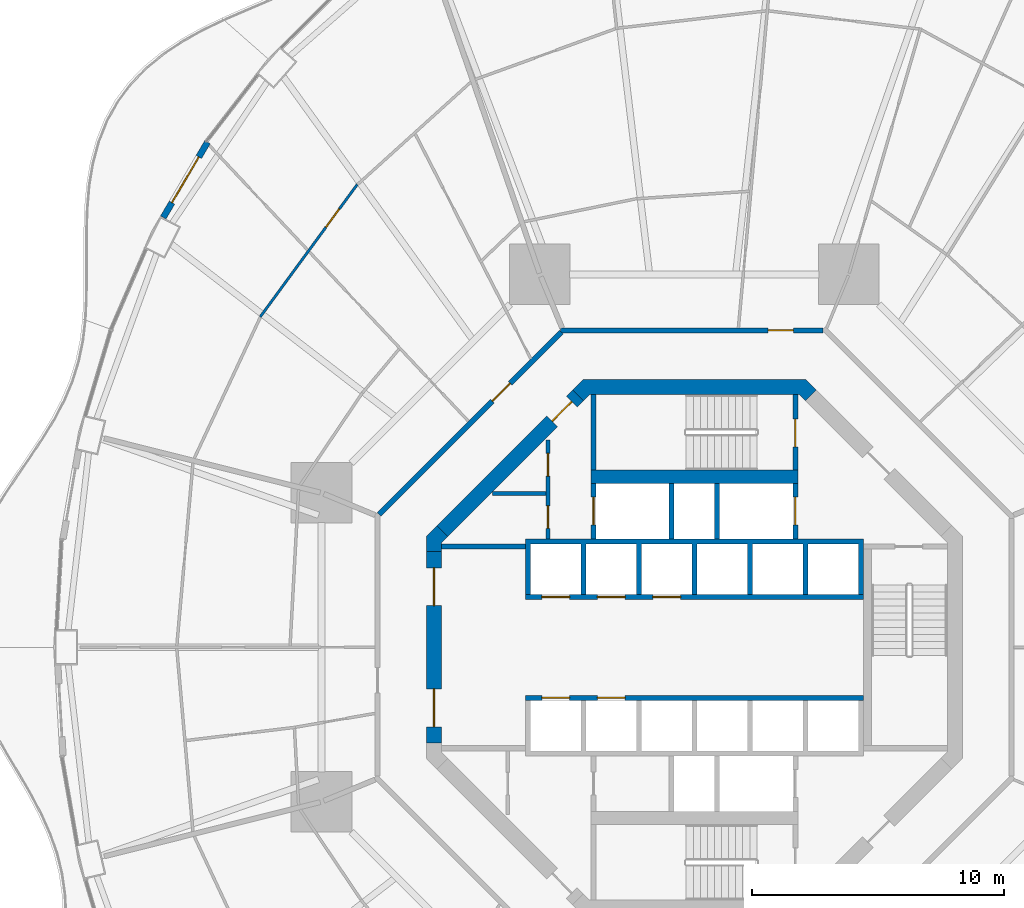
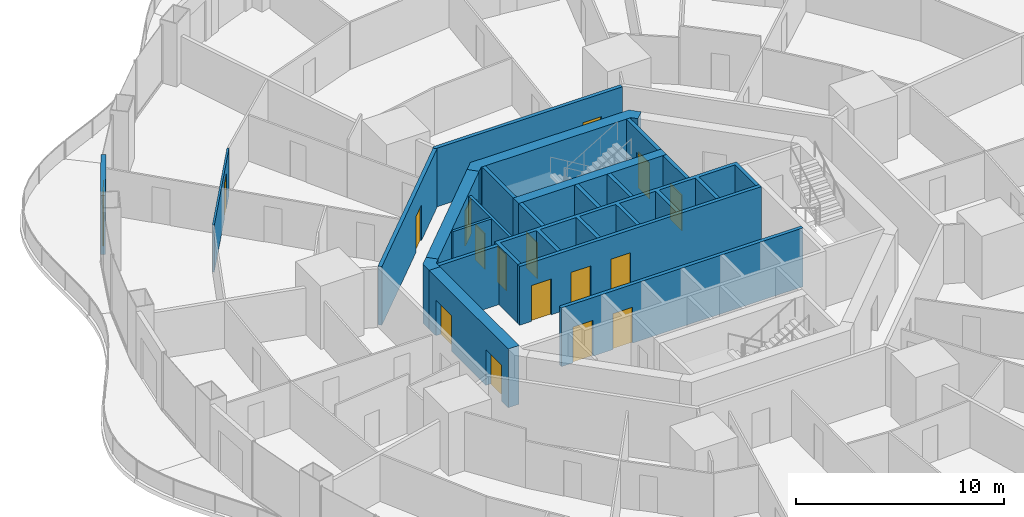
# One storey, part 17 of 23: 21 walls, 17 doors, 17 openings.
"""IFC4 building model written with IfcOpenShell, lengths in metres."""

import ifcopenshell
import ifcopenshell.guid

model = None  # the IFC model being written
_history = None  # IfcOwnerHistory: only IFC2X3 demands one
_inside = {}  # id of a spatial element -> (the spatial element, [elements in it])
_under = {}  # id of a project, library or spatial element -> (it, [spatial elements below it])
_declared = {}  # id of a project -> (the project, [libraries it declares])
_typed = {}  # id of a type object -> (the type object, [elements of that type])
_made_of = {}  # id of a material, layer set ... -> (it, [elements and type objects made of it])


def new_model(schema):
    """Start an empty IFC model of exactly this schema.

    Asked for "IFC4X3", IfcOpenShell would pick the latest addendum, in which some entities
    have other attributes; the version numbers below select the first issue.
    IFC2X3 requires an IfcOwnerHistory on every rooted entity: one is made here for all.
    """
    global model, _history
    if schema == "IFC4X3":
        model = ifcopenshell.file(schema_version=(4, 3, 0, 0))
    else:
        model = ifcopenshell.file(schema=schema)
    _inside.clear()
    _under.clear()
    _declared.clear()
    _typed.clear()
    _made_of.clear()
    _history = None
    if model.schema == "IFC2X3":
        org = make("IfcOrganization", Name="unknown")
        user = make(
            "IfcPersonAndOrganization",
            ThePerson=make("IfcPerson", FamilyName="unknown"),
            TheOrganization=org,
        )
        app = make(
            "IfcApplication",
            ApplicationDeveloper=org,
            Version="unknown",
            ApplicationFullName="unknown",
            ApplicationIdentifier="unknown",
        )
        _history = make(
            "IfcOwnerHistory",
            OwningUser=user,
            OwningApplication=app,
            ChangeAction="ADDED",
            CreationDate=0,
        )
    return model


def make(cls, **values):
    """One entity of the class cls with the attributes given. An attribute that is None is left unset."""
    return model.create_entity(
        cls, **{name: value for name, value in values.items() if value is not None}
    )


def rooted(cls, **values):
    """An entity with a GlobalId (a new one), such as an element, a storey or a relation."""
    return make(cls, GlobalId=ifcopenshell.guid.new(), OwnerHistory=_history, **values)


def si_unit(unit_type, name, prefix=None):
    """IfcSIUnit, for example si_unit("LENGTHUNIT", "METRE", prefix="MILLI")."""
    return make("IfcSIUnit", UnitType=unit_type, Prefix=prefix, Name=name)


def assignment(units):
    """IfcUnitAssignment: the units of a project."""
    return None if units is None else make("IfcUnitAssignment", Units=units)


def point(xyz):
    """IfcCartesianPoint."""
    return None if xyz is None else make("IfcCartesianPoint", Coordinates=xyz)


def direction(xyz):
    """IfcDirection."""
    return None if xyz is None else make("IfcDirection", DirectionRatios=xyz)


def frame(location, z_axis=None, x_axis=None):
    """IfcAxis2Placement3D, a coordinate frame: its origin and axes. An axis left out is left unset."""
    return make(
        "IfcAxis2Placement3D",
        Location=point(location),
        Axis=direction(z_axis),
        RefDirection=direction(x_axis),
    )


def frame_2d(location, x_axis=None):
    """IfcAxis2Placement2D, a coordinate frame in the plane: its origin and x axis."""
    return make(
        "IfcAxis2Placement2D", Location=point(location), RefDirection=direction(x_axis)
    )


def origin():
    """The frame at (0, 0, 0) with its axes left unset."""
    return frame((0.0, 0.0, 0.0))


def place(relative_to, where):
    """IfcLocalPlacement: puts the frame where relative to a parent placement (None: the world)."""
    return make(
        "IfcLocalPlacement", PlacementRelTo=relative_to, RelativePlacement=where
    )


def context(
    kind, dimensions, precision=None, world=None, true_north=None, identifier=None
):
    """IfcGeometricRepresentationContext, for example the 3D "Model" context."""
    return make(
        "IfcGeometricRepresentationContext",
        ContextIdentifier=identifier,
        ContextType=kind,
        CoordinateSpaceDimension=dimensions,
        Precision=precision,
        WorldCoordinateSystem=world,
        TrueNorth=true_north,
    )


def subcontext(parent, identifier, kind, view, scale=None):
    """IfcGeometricRepresentationSubContext, for example "Body" below "Model"."""
    return make(
        "IfcGeometricRepresentationSubContext",
        ContextIdentifier=identifier,
        ContextType=kind,
        ParentContext=parent,
        TargetScale=scale,
        TargetView=view,
    )


def project(units=None, contexts=None):
    """IfcProject with its units and contexts."""
    return rooted(
        "IfcProject",
        Name="project",
        RepresentationContexts=contexts,
        UnitsInContext=assignment(units),
    )


def spatial(cls, under=None, at=None, **own):
    """A site, building, storey or space (cls), placed at a placement, below another one or the project."""
    s = rooted(cls, ObjectPlacement=at, **own)
    if under is not None:
        _under.setdefault(under.id(), (under, []))[1].append(s)
    return s


def polyline(points):
    """IfcPolyline through the points."""
    return make("IfcPolyline", Points=[point(p) for p in points])


def profile(cls, at=None, kind="AREA", **sizes):
    """A parametric profile (cls). Its sizes go by their IFC names, for example OverallWidth=200.0."""
    return make(cls, ProfileType=kind, Position=at, **sizes)


def rectangle(**sizes):
    """IfcRectangleProfileDef."""
    return profile("IfcRectangleProfileDef", **sizes)


def outline(outer, holes=None, kind="AREA"):
    """IfcArbitraryClosedProfileDef: a profile drawn as a closed curve; with holes, ...WithVoids."""
    if holes is None:
        return make("IfcArbitraryClosedProfileDef", ProfileType=kind, OuterCurve=outer)
    return make(
        "IfcArbitraryProfileDefWithVoids",
        ProfileType=kind,
        OuterCurve=outer,
        InnerCurves=holes,
    )


def extrude(swept, where, along, depth):
    """IfcExtrudedAreaSolid: the profile swept, set in the frame where, extruded along a direction by depth."""
    return make(
        "IfcExtrudedAreaSolid",
        SweptArea=swept,
        Position=where,
        ExtrudedDirection=direction(along),
        Depth=depth,
    )


def shape(context_of_items, identifier, shape_type, items):
    """IfcShapeRepresentation: the items that make up one representation, for example the "Body"."""
    return make(
        "IfcShapeRepresentation",
        ContextOfItems=context_of_items,
        RepresentationIdentifier=identifier,
        RepresentationType=shape_type,
        Items=items,
    )


def material(Name=None, Category=None):
    """IfcMaterial."""
    return make("IfcMaterial", Name=Name, Category=Category)


def layer(
    of_material, thickness, ventilated=None, Name=None, Category=None, Priority=None
):
    """IfcMaterialLayer: one layer of a wall or slab, of a material (None: an air gap)."""
    return make(
        "IfcMaterialLayer",
        Material=of_material,
        LayerThickness=thickness,
        IsVentilated=ventilated,
        Name=Name,
        Category=Category,
        Priority=Priority,
    )


def layer_set(layers, Name=None):
    """IfcMaterialLayerSet."""
    return make("IfcMaterialLayerSet", MaterialLayers=layers, LayerSetName=Name)


def made_of(thing, what):
    """Note that an element or type object is made of a material, layer set ...; save() writes the relation."""
    if what is not None:
        _made_of.setdefault(what.id(), (what, []))[1].append(thing)
    return thing


def type_object(cls, material=None, **own):
    """A type object (cls), such as IfcWallType, which elements share."""
    return made_of(rooted(cls, **own), material)


def element(
    cls,
    number,
    at=None,
    inside=None,
    cuts=None,
    type_object=None,
    material=None,
    context=None,
    identifier="Body",
    shape_type=None,
    held_by="IfcProductDefinitionShape",
    body=None,
    shapes=None,
    **own,
):
    """One element of the class cls, such as IfcWall. Its Tag is "e" and its number.

    at: its placement. inside: the storey or other place that contains it. cuts: it is an
    opening in that element (IfcRelVoidsElement). A single representation is given by context,
    identifier, shape_type and body (its items); several are given by shapes. held_by: the class
    of the entity that holds the representations. save() writes the other relations.
    """
    e = rooted(cls, Tag="e%d" % number, ObjectPlacement=at, **own)
    if body is not None:
        shapes = [shape(context, identifier, shape_type, body)]
    if shapes is not None:
        e.Representation = make(held_by, Representations=shapes)
    if inside is not None:
        _inside.setdefault(inside.id(), (inside, []))[1].append(e)
    if cuts is not None:
        rooted(
            "IfcRelVoidsElement", RelatingBuildingElement=cuts, RelatedOpeningElement=e
        )
    if type_object is not None:
        _typed.setdefault(type_object.id(), (type_object, []))[1].append(e)
    return made_of(e, material)


def fill(opening, filler):
    """IfcRelFillsElement: the door or window that sits in an opening."""
    return rooted(
        "IfcRelFillsElement",
        RelatingOpeningElement=opening,
        RelatedBuildingElement=filler,
    )


def aggregate(whole, parts):
    """IfcRelAggregates: a whole, such as a stair, and the parts it consists of."""
    return rooted("IfcRelAggregates", RelatingObject=whole, RelatedObjects=parts)


def save(model, path):
    """Write the relations noted so far, then the file.

    IfcRelAggregates (storeys below a building ...), IfcRelContainedInSpatialStructure (elements
    in a storey), IfcRelDefinesByType, IfcRelAssociatesMaterial and IfcRelDeclares: one each for
    every whole, place, type object, material and project.
    """
    for whole, parts in _under.values():
        aggregate(whole, parts)
    for where, things in _inside.values():
        rooted(
            "IfcRelContainedInSpatialStructure",
            RelatedElements=things,
            RelatingStructure=where,
        )
    for kind, things in _typed.values():
        rooted("IfcRelDefinesByType", RelatedObjects=things, RelatingType=kind)
    for what, things in _made_of.values():
        rooted("IfcRelAssociatesMaterial", RelatedObjects=things, RelatingMaterial=what)
    for by, libraries in _declared.values():
        rooted("IfcRelDeclares", RelatingContext=by, RelatedDefinitions=libraries)
    model.write(path)


model = new_model("IFC4")

# Units and contexts
model_context = context("Model", 3, precision=1e-05, world=origin(), true_north=direction((0.0, 1.0)))
body_context = subcontext(model_context, "Body", "Model", "MODEL_VIEW")
ifc_project = project(units=[si_unit("LENGTHUNIT", "METRE"), si_unit("AREAUNIT", "SQUARE_METRE"), si_unit("VOLUMEUNIT", "CUBIC_METRE"), si_unit("PLANEANGLEUNIT", "RADIAN"), si_unit("MASSUNIT", "GRAM", prefix="KILO")], contexts=[model_context])

# Site, building, storey
site_placement = place(None, origin())
site = spatial("IfcSite", under=ifc_project, at=site_placement, CompositionType="ELEMENT")
building_placement = place(site_placement, origin())
building = spatial("IfcBuilding", under=site, at=building_placement, Name="Nagisa Residences", CompositionType="ELEMENT")
storey_placement = place(building_placement, frame((0.0, 0.0, 56.60009765625)))
storey = spatial("IfcBuildingStorey", under=building, at=storey_placement, Name="L13", CompositionType="ELEMENT", Elevation=56.60009765625)

# Wall, opening, door
ifc_material_1 = material(Name="Gypsum board on steel studs", Category="steel")
ifc_layer_1 = layer(ifc_material_1, 0.199951171875)
ifc_layer_set_1 = layer_set([ifc_layer_1], Name="Apartment entry wall EI60 200")
wall_type_1 = type_object("IfcWallType", Name="Apartment entry wall EI60 200", PredefinedType="PARTITIONING", material=ifc_layer_set_1)
wall_1_placement = place(storey_placement, frame((5.1044921875, 12.564697265625, 0.0), z_axis=(0.0, 0.0, 1.0), x_axis=(-1.0, 0.0, 0.0)))
wall_1 = element("IfcWall", 1, at=wall_1_placement, inside=storey, type_object=wall_type_1, Name="wall:L13:u12", PredefinedType="PARTITIONING", context=body_context, shape_type="SweptSolid", body=[
    extrude(rectangle(XDim=10.408935546875, YDim=0.199951171875, at=frame_2d((5.20458984375, 0.0))), origin(), (0.0, 0.0, 1.0), 3.43994140625),
])
opening_1_placement = place(wall_1_placement, frame((1.184814453125, 0.0, 0.0)))
opening_1 = element("IfcOpeningElement", 2, at=opening_1_placement, cuts=wall_1, Name="Opening L13-U43", PredefinedType="OPENING", context=body_context, shape_type="SweptSolid", body=[
    extrude(rectangle(XDim=1.0, YDim=2.10009765625, at=frame_2d((0.5, 1.050048828125))), frame((0.0, 0.10986328125, 0.0), z_axis=(0.0, -1.0, 0.0), x_axis=(1.0, 0.0, 0.0)), (0.0, 0.0, 1.0), 0.219970703125),
])
ifc_material_2 = material(Name="Timber fire door set", Category="wood")
door_type_1 = type_object("IfcDoorType", Name="Apartment entry door FD30S 1000x2100", OperationType="NOTDEFINED", PredefinedType="DOOR", material=ifc_material_2)
door_1_placement = place(opening_1_placement, frame((1.0, 0.0, 0.0), x_axis=(-1.0, 0.0, 0.0)))
door_1 = element("IfcDoor", 3, at=door_1_placement, inside=storey, type_object=door_type_1, Name="Entry door, Apartment 13E", OperationType="SINGLE_SWING_RIGHT", OverallHeight=2.10009765625, OverallWidth=1.0, PredefinedType="DOOR", context=body_context, shape_type="SweptSolid", body=[
    extrude(rectangle(XDim=1.0, YDim=2.10009765625, at=frame_2d((0.5, 1.050048828125))), frame((0.0, 0.02490234375, 0.0), z_axis=(0.0, -1.0, 0.0), x_axis=(1.0, 0.0, 0.0)), (0.0, 0.0, 1.0), 0.050048828125),
])
fill(opening_1, door_1)

wall_2_placement = place(storey_placement, frame((-5.275146484375, 12.494140625, 0.0), z_axis=(0.0, 0.0, 1.0), x_axis=(-0.707106781187, -0.707106781187, 0.0)))
wall_2 = element("IfcWall", 4, at=wall_2_placement, inside=storey, type_object=wall_type_1, Name="wall:L13:u13", PredefinedType="PARTITIONING", context=body_context, shape_type="SweptSolid", body=[
    extrude(rectangle(XDim=10.209228515625, YDim=0.199951171875, at=frame_2d((5.1044921875, 0.0))), origin(), (0.0, 0.0, 1.0), 3.43994140625),
])
opening_2_placement = place(wall_2_placement, frame((2.86962890625, 0.0, 0.0)))
opening_2 = element("IfcOpeningElement", 5, at=opening_2_placement, cuts=wall_2, Name="Opening L13-U01", PredefinedType="OPENING", context=body_context, shape_type="SweptSolid", body=[
    extrude(rectangle(XDim=1.0, YDim=2.10009765625, at=frame_2d((0.5, 1.050048828125))), frame((0.0, 0.10986328125, 0.0), z_axis=(0.0, -1.0, 0.0), x_axis=(1.0, 0.0, 0.0)), (0.0, 0.0, 1.0), 0.219970703125),
])
door_2_placement = place(opening_2_placement, frame((1.0, 0.0, 0.0), x_axis=(-1.0, 0.0, 0.0)))
door_2 = element("IfcDoor", 6, at=door_2_placement, inside=storey, type_object=door_type_1, Name="Entry door, Apartment 13A", OperationType="SINGLE_SWING_RIGHT", OverallHeight=2.10009765625, OverallWidth=1.0, PredefinedType="DOOR", context=body_context, shape_type="SweptSolid", body=[
    extrude(rectangle(XDim=1.0, YDim=2.10009765625, at=frame_2d((0.5, 1.050048828125))), frame((0.0, 0.02490234375, 0.0), z_axis=(0.0, -1.0, 0.0), x_axis=(1.0, 0.0, 0.0)), (0.0, 0.0, 1.0), 0.050048828125),
])
fill(opening_2, door_2)

ifc_material_3 = material(Name="Gypsum board on steel studs", Category="steel")
ifc_layer_2 = layer(ifc_material_3, 0.10009765625)
ifc_layer_set_2 = layer_set([ifc_layer_2], Name="Apartment partition 100")
wall_type_2 = type_object("IfcWallType", Name="Apartment partition 100", PredefinedType="PARTITIONING", material=ifc_layer_set_2)
wall_3_placement = place(storey_placement, frame((-13.3623046875, 18.35009765625, 0.0), z_axis=(0.0, 0.0, 1.0), x_axis=(-0.591191311491, -0.806531359104, 0.0)))
wall_3 = element("IfcWall", 7, at=wall_3_placement, inside=storey, type_object=wall_type_2, Name="wall:L13:u48", PredefinedType="PARTITIONING", context=body_context, shape_type="SweptSolid", body=[
    extrude(rectangle(XDim=6.510009765625, YDim=0.10009765625, at=frame_2d((3.2548828125, 0.0))), origin(), (0.0, 0.0, 1.0), 2.755859375),
])
opening_3_placement = place(wall_3_placement, frame((1.202392578125, 0.0, 0.0)))
opening_3 = element("IfcOpeningElement", 8, at=opening_3_placement, cuts=wall_3, Name="Opening L13-U06", PredefinedType="OPENING", context=body_context, shape_type="SweptSolid", body=[
    extrude(rectangle(XDim=0.89990234375, YDim=2.10009765625, at=frame_2d((0.449951171875, 1.050048828125))), frame((0.0, 0.06005859375, 0.0), z_axis=(0.0, -1.0, 0.0), x_axis=(1.0, 0.0, 0.0)), (0.0, 0.0, 1.0), 0.1201171875),
])
ifc_material_4 = material(Name="Timber door set", Category="wood")
door_type_2 = type_object("IfcDoorType", Name="Apartment door 900x2100", OperationType="NOTDEFINED", PredefinedType="DOOR", material=ifc_material_4)
door_3_placement = place(opening_3_placement, frame((0.89990234375, 0.0, 0.0), x_axis=(-1.0, 0.0, 0.0)))
door_3 = element("IfcDoor", 9, at=door_3_placement, inside=storey, type_object=door_type_2, Name="Door to family room, Apartment 13A", OperationType="SINGLE_SWING_LEFT", OverallHeight=2.10009765625, OverallWidth=0.89990234375, PredefinedType="DOOR", context=body_context, shape_type="SweptSolid", body=[
    extrude(rectangle(XDim=0.89990234375, YDim=2.10009765625, at=frame_2d((0.449951171875, 1.050048828125))), frame((0.0, 0.02490234375, 0.0), z_axis=(0.0, -1.0, 0.0), x_axis=(1.0, 0.0, 0.0)), (0.0, 0.0, 1.0), 0.050048828125),
])
fill(opening_3, door_3)

ifc_material_5 = material(Name="Precast concrete C40/50", Category="concrete")
ifc_layer_3 = layer(ifc_material_5, 0.25)
ifc_layer_set_3 = layer_set([ifc_layer_3], Name="BALCONY DOOR WALL 250")
wall_type_3 = type_object("IfcWallType", Name="BALCONY DOOR WALL 250", PredefinedType="SOLIDWALL", material=ifc_layer_set_3)
wall_4_placement = place(storey_placement, frame((-21.052490234375, 17.040283203125, 0.0), z_axis=(0.0, 0.0, 1.0), x_axis=(0.506311160839, 0.862350861546, 0.0)))
wall_4 = element("IfcWall", 10, at=wall_4_placement, inside=storey, type_object=wall_type_3, Name="wall:L13:bay19", PredefinedType="SOLIDWALL", context=body_context, shape_type="SweptSolid", body=[
    extrude(rectangle(XDim=3.462158203125, YDim=0.25, at=frame_2d((1.73095703125, 0.0))), origin(), (0.0, 0.0, 1.0), 3.43994140625),
])
opening_4_placement = place(wall_4_placement, frame((0.68115234375, 0.0, 0.0)))
opening_4 = element("IfcOpeningElement", 11, at=opening_4_placement, cuts=wall_4, Name="Opening BD-L13-07", PredefinedType="OPENING", context=body_context, shape_type="SweptSolid", body=[
    extrude(rectangle(XDim=2.10009765625, YDim=2.39990234375, at=frame_2d((1.050048828125, 1.199951171875))), frame((0.0, 0.135009765625, 0.0), z_axis=(0.0, -1.0, 0.0), x_axis=(1.0, 0.0, 0.0)), (0.0, 0.0, 1.0), 0.27001953125),
])
ifc_material_6 = material(Name="Aluminium and clear glass", Category="aluminium")
door_type_3 = type_object("IfcDoorType", Name="BALCONY SLIDING DOOR 2100x2400", OperationType="SLIDING_TO_LEFT", PredefinedType="DOOR", material=ifc_material_6)
door_4_placement = place(opening_4_placement, origin())
door_4 = element("IfcDoor", 12, at=door_4_placement, inside=storey, type_object=door_type_3, Name="door:L13:bay19", OperationType="SLIDING_TO_LEFT", OverallHeight=2.39990234375, OverallWidth=2.10009765625, PredefinedType="DOOR", context=body_context, shape_type="SweptSolid", body=[
    extrude(rectangle(XDim=2.10009765625, YDim=2.39990234375, at=frame_2d((1.050048828125, 1.199951171875))), frame((0.0, 0.02490234375, 0.0), z_axis=(0.0, -1.0, 0.0), x_axis=(1.0, 0.0, 0.0)), (0.0, 0.0, 1.0), 0.050048828125),
])
fill(opening_4, door_4)

# Wall, openings, doors
ifc_material_7 = material(Name="Gypsum board on steel studs", Category="steel")
ifc_layer_4 = layer(ifc_material_7, 0.14990234375)
ifc_layer_set_4 = layer_set([ifc_layer_4], Name="Core partition 150")
wall_type_4 = type_object("IfcWallType", Name="Core partition 150", PredefinedType="PARTITIONING", material=ifc_layer_set_4)
wall_5_placement = place(storey_placement, frame((-5.800048828125, 4.300048828125, 0.0), z_axis=(0.0, 0.0, 1.0), x_axis=(0.0, 1.0, 0.0)))
wall_5 = element("IfcWall", 13, at=wall_5_placement, inside=storey, type_object=wall_type_4, Name="wall:L13:NWp", PredefinedType="PARTITIONING", context=body_context, shape_type="SweptSolid", body=[
    extrude(rectangle(XDim=3.927001953125, YDim=0.14990234375, at=frame_2d((1.96337890625, 0.0))), origin(), (0.0, 0.0, 1.0), 3.43994140625),
])
opening_5_placement = place(wall_5_placement, frame((0.41259765625, 0.0, 0.0)))
opening_5 = element("IfcOpeningElement", 14, at=opening_5_placement, cuts=wall_5, Name="Opening L13-C12", PredefinedType="OPENING", context=body_context, shape_type="SweptSolid", body=[
    extrude(rectangle(XDim=0.89990234375, YDim=2.10009765625, at=frame_2d((0.449951171875, 1.050048828125))), frame((0.0, 0.0849609375, 0.0), z_axis=(0.0, -1.0, 0.0), x_axis=(1.0, 0.0, 0.0)), (0.0, 0.0, 1.0), 0.169921875),
])
opening_6_placement = place(wall_5_placement, frame((2.488525390625, 0.0, 0.0)))
opening_6 = element("IfcOpeningElement", 15, at=opening_6_placement, cuts=wall_5, Name="Opening L13-C13", PredefinedType="OPENING", context=body_context, shape_type="SweptSolid", body=[
    extrude(rectangle(XDim=0.89990234375, YDim=2.10009765625, at=frame_2d((0.449951171875, 1.050048828125))), frame((0.0, 0.0849609375, 0.0), z_axis=(0.0, -1.0, 0.0), x_axis=(1.0, 0.0, 0.0)), (0.0, 0.0, 1.0), 0.169921875),
])
ifc_material_8 = material(Name="Steel fire door", Category="steel")
door_type_4 = type_object("IfcDoorType", Name="Fire door EI30 900x2100 single swing", OperationType="NOTDEFINED", PredefinedType="DOOR", material=ifc_material_8)
door_5_placement = place(opening_5_placement, origin())
door_5 = element("IfcDoor", 16, at=door_5_placement, inside=storey, type_object=door_type_4, Name="Staff WC door L13", OperationType="SINGLE_SWING_RIGHT", OverallHeight=2.10009765625, OverallWidth=0.89990234375, PredefinedType="DOOR", context=body_context, shape_type="SweptSolid", body=[
    extrude(rectangle(XDim=0.89990234375, YDim=2.10009765625, at=frame_2d((0.449951171875, 1.050048828125))), frame((0.0, 0.02490234375, 0.0), z_axis=(0.0, -1.0, 0.0), x_axis=(1.0, 0.0, 0.0)), (0.0, 0.0, 1.0), 0.050048828125),
])
fill(opening_5, door_5)
door_6_placement = place(opening_6_placement, origin())
door_6 = element("IfcDoor", 17, at=door_6_placement, inside=storey, type_object=door_type_4, Name="Janitor door L13", OperationType="SINGLE_SWING_RIGHT", OverallHeight=2.10009765625, OverallWidth=0.89990234375, PredefinedType="DOOR", context=body_context, shape_type="SweptSolid", body=[
    extrude(rectangle(XDim=0.89990234375, YDim=2.10009765625, at=frame_2d((0.449951171875, 1.050048828125))), frame((0.0, 0.02490234375, 0.0), z_axis=(0.0, -1.0, 0.0), x_axis=(1.0, 0.0, 0.0)), (0.0, 0.0, 1.0), 0.050048828125),
])
fill(opening_6, door_6)

# Walls
wall_6_placement = place(storey_placement, frame((-8.0009765625, 6.10009765625, 0.0), z_axis=(0.0, 0.0, 1.0), x_axis=(1.0, 0.0, 0.0)))
element("IfcWall", 18, at=wall_6_placement, inside=storey, type_object=wall_type_4, Name="wall:L13:NWq", PredefinedType="PARTITIONING", context=body_context, shape_type="SweptSolid", body=[
    extrude(rectangle(XDim=2.1259765625, YDim=0.14990234375, at=frame_2d((1.06298828125, 0.0))), origin(), (0.0, 0.0, 1.0), 3.43994140625),
])
ifc_material_9 = material(Name="Gypsum board on steel studs", Category="steel")
ifc_layer_5 = layer(ifc_material_9, 0.199951171875)
ifc_layer_set_5 = layer_set([ifc_layer_5], Name="Core partition 200")
wall_type_5 = type_object("IfcWallType", Name="Core partition 200", PredefinedType="PARTITIONING", material=ifc_layer_set_5)
wall_7_placement = place(storey_placement, frame((-10.024658203125, 4.0, 0.0), z_axis=(0.0, 0.0, 1.0), x_axis=(1.0, 0.0, 0.0)))
element("IfcWall", 19, at=wall_7_placement, inside=storey, type_object=wall_type_5, Name="wall:L13:PNW", PredefinedType="PARTITIONING", context=body_context, shape_type="SweptSolid", body=[
    extrude(rectangle(XDim=3.32470703125, YDim=0.199951171875, at=frame_2d((1.662353515625, 0.0))), origin(), (0.0, 0.0, 1.0), 3.43994140625),
])

# Wall, opening, door
ifc_material_10 = material(Name="Concrete C60", Category="concrete")
ifc_layer_6 = layer(ifc_material_10, 0.60009765625)
ifc_layer_set_6 = layer_set([ifc_layer_6], Name="Core shear wall 600")
wall_type_6 = type_object("IfcWallType", Name="Core shear wall 600", PredefinedType="SHEAR", material=ifc_layer_set_6)
wall_8_placement = place(storey_placement, frame((-4.613037109375, 9.98828125, 0.0), z_axis=(0.0, 0.0, 1.0), x_axis=(-0.707106781187, -0.707106781187, 0.0)))
wall_8 = element("IfcWall", 20, at=wall_8_placement, inside=storey, type_object=wall_type_6, Name="wall:L13:core:flat3", PredefinedType="SHEAR", context=body_context, shape_type="SweptSolid", body=[
    extrude(rectangle(XDim=7.601806640625, YDim=0.60009765625, at=frame_2d((3.80078125, 0.0))), origin(), (0.0, 0.0, 1.0), 3.43994140625),
])
opening_7_placement = place(wall_8_placement, frame((0.350830078125, 0.0, 0.0)))
opening_7 = element("IfcOpeningElement", 21, at=opening_7_placement, cuts=wall_8, Name="Opening L13-C20", PredefinedType="OPENING", context=body_context, shape_type="SweptSolid", body=[
    extrude(rectangle(XDim=1.10009765625, YDim=2.10009765625, at=frame_2d((0.550048828125, 1.050048828125))), frame((0.0, 0.31005859375, 0.0), z_axis=(0.0, -1.0, 0.0), x_axis=(1.0, 0.0, 0.0)), (0.0, 0.0, 1.0), 0.6201171875),
])
ifc_material_11 = material(Name="Steel fire door", Category="steel")
door_type_5 = type_object("IfcDoorType", Name="Fire door EI60 1100x2100 single swing", OperationType="NOTDEFINED", PredefinedType="DOOR", material=ifc_material_11)
door_7_placement = place(opening_7_placement, origin())
door_7 = element("IfcDoor", 22, at=door_7_placement, inside=storey, type_object=door_type_5, Name="Service lobby door L13", OperationType="SINGLE_SWING_LEFT", OverallHeight=2.10009765625, OverallWidth=1.10009765625, PredefinedType="DOOR", context=body_context, shape_type="SweptSolid", body=[
    extrude(rectangle(XDim=1.10009765625, YDim=2.10009765625, at=frame_2d((0.550048828125, 1.050048828125))), frame((0.0, 0.02490234375, 0.0), z_axis=(0.0, -1.0, 0.0), x_axis=(1.0, 0.0, 0.0)), (0.0, 0.0, 1.0), 0.050048828125),
])
fill(opening_7, door_7)

# Wall, openings, doors
wall_9_placement = place(storey_placement, frame((-10.32470703125, 3.80078125, 0.0), z_axis=(0.0, 0.0, 1.0), x_axis=(0.0, -1.0, 0.0)))
wall_9 = element("IfcWall", 23, at=wall_9_placement, inside=storey, type_object=wall_type_6, Name="wall:L13:core:flat4", PredefinedType="SHEAR", context=body_context, shape_type="SweptSolid", body=[
    extrude(rectangle(XDim=7.6015625, YDim=0.60009765625, at=frame_2d((3.80078125, 0.0))), origin(), (0.0, 0.0, 1.0), 3.43994140625),
])
opening_8_placement = place(wall_9_placement, frame((0.65087890625, 0.0, 0.0)))
opening_8 = element("IfcOpeningElement", 24, at=opening_8_placement, cuts=wall_9, Name="Opening L13-C18", PredefinedType="OPENING", context=body_context, shape_type="SweptSolid", body=[
    extrude(rectangle(XDim=1.5, YDim=2.10009765625, at=frame_2d((0.75, 1.050048828125))), frame((0.0, 0.31005859375, 0.0), z_axis=(0.0, -1.0, 0.0), x_axis=(1.0, 0.0, 0.0)), (0.0, 0.0, 1.0), 0.6201171875),
])
opening_9_placement = place(wall_9_placement, frame((5.450927734375, 0.0, 0.0)))
opening_9 = element("IfcOpeningElement", 25, at=opening_9_placement, cuts=wall_9, Name="Opening L13-C19", PredefinedType="OPENING", context=body_context, shape_type="SweptSolid", body=[
    extrude(rectangle(XDim=1.5, YDim=2.10009765625, at=frame_2d((0.75, 1.050048828125))), frame((0.0, 0.31005859375, 0.0), z_axis=(0.0, -1.0, 0.0), x_axis=(1.0, 0.0, 0.0)), (0.0, 0.0, 1.0), 0.6201171875),
])
ifc_material_12 = material(Name="Steel fire door", Category="steel")
door_type_6 = type_object("IfcDoorType", Name="Fire door EI60 1500x2100 double door single swing", OperationType="DOUBLE_DOOR_SINGLE_SWING", PredefinedType="DOOR", material=ifc_material_12)
door_8_placement = place(opening_8_placement, origin())
door_8 = element("IfcDoor", 26, at=door_8_placement, inside=storey, type_object=door_type_6, Name="Lift lobby door L13 1", OperationType="DOUBLE_DOOR_SINGLE_SWING", OverallHeight=2.10009765625, OverallWidth=1.5, PredefinedType="DOOR", context=body_context, shape_type="SweptSolid", body=[
    extrude(rectangle(XDim=1.5, YDim=2.10009765625, at=frame_2d((0.75, 1.050048828125))), frame((0.0, 0.02490234375, 0.0), z_axis=(0.0, -1.0, 0.0), x_axis=(1.0, 0.0, 0.0)), (0.0, 0.0, 1.0), 0.050048828125),
])
fill(opening_8, door_8)
door_9_placement = place(opening_9_placement, origin())
door_9 = element("IfcDoor", 27, at=door_9_placement, inside=storey, type_object=door_type_6, Name="Lift lobby door L13 2", OperationType="DOUBLE_DOOR_SINGLE_SWING", OverallHeight=2.10009765625, OverallWidth=1.5, PredefinedType="DOOR", context=body_context, shape_type="SweptSolid", body=[
    extrude(rectangle(XDim=1.5, YDim=2.10009765625, at=frame_2d((0.75, 1.050048828125))), frame((0.0, 0.02490234375, 0.0), z_axis=(0.0, -1.0, 0.0), x_axis=(1.0, 0.0, 0.0)), (0.0, 0.0, 1.0), 0.050048828125),
])
fill(opening_9, door_9)

# Walls
wall_10_placement = place(storey_placement, origin())
element("IfcWall", 28, at=wall_10_placement, inside=storey, type_object=wall_type_6, Name="wall:L13:core:pier3", PredefinedType="SHEAR", context=body_context, shape_type="SweptSolid", body=[
    extrude(outline(polyline([(-10.200439453125, 4.8251953125), (-9.776123046875, 4.40087890625), (-10.024658203125, 4.15234375), (-10.024658203125, 3.80078125), (-10.62451171875, 3.80078125), (-10.62451171875, 4.40087890625), (-10.200439453125, 4.8251953125)])), origin(), (0.0, 0.0, 1.0), 3.43994140625),
])
wall_11_placement = place(storey_placement, origin())
element("IfcWall", 29, at=wall_11_placement, inside=storey, type_object=wall_type_6, Name="wall:L13:core:flat2", PredefinedType="SHEAR", context=body_context, shape_type="SweptSolid", body=[
    extrude(outline(polyline([(-4.15234375, 10.024658203125), (-4.40087890625, 9.776123046875), (-4.8251953125, 10.200439453125), (-4.40087890625, 10.62451171875), (4.40087890625, 10.62451171875), (4.8251953125, 10.200439453125), (4.40087890625, 9.776123046875), (4.15234375, 10.024658203125), (-4.15234375, 10.024658203125)])), origin(), (0.0, 0.0, 1.0), 3.43994140625),
])

# Wall, opening, door
ifc_material_13 = material(Name="Concrete C60", Category="concrete")
ifc_layer_7 = layer(ifc_material_13, 0.199951171875)
ifc_layer_set_7 = layer_set([ifc_layer_7], Name="Lift shaft wall 200")
wall_type_7 = type_object("IfcWallType", Name="Lift shaft wall 200", PredefinedType="SOLIDWALL", material=ifc_layer_set_7)
wall_12_placement = place(storey_placement, frame((4.0, 4.300048828125, 0.0), z_axis=(0.0, 0.0, 1.0), x_axis=(0.0, 1.0, 0.0)))
wall_12 = element("IfcWall", 30, at=wall_12_placement, inside=storey, type_object=wall_type_7, Name="wall:L13:Nb3", PredefinedType="SOLIDWALL", context=body_context, shape_type="SweptSolid", body=[
    extrude(rectangle(XDim=2.199951171875, YDim=0.199951171875, at=frame_2d((1.10009765625, 0.0))), origin(), (0.0, 0.0, 1.0), 3.43994140625),
])
opening_10_placement = place(wall_12_placement, frame((0.550048828125, 0.0, 0.0)))
opening_10 = element("IfcOpeningElement", 31, at=opening_10_placement, cuts=wall_12, Name="Opening L13-C06", PredefinedType="OPENING", context=body_context, shape_type="SweptSolid", body=[
    extrude(rectangle(XDim=1.10009765625, YDim=2.10009765625, at=frame_2d((0.550048828125, 1.050048828125))), frame((0.0, 0.10986328125, 0.0), z_axis=(0.0, -1.0, 0.0), x_axis=(1.0, 0.0, 0.0)), (0.0, 0.0, 1.0), 0.219970703125),
])
ifc_material_14 = material(Name="Stainless steel", Category="steel")
door_type_7 = type_object("IfcDoorType", Name="Lift landing door 1100x2100", OperationType="DOUBLE_DOOR_SLIDING", PredefinedType="DOOR", material=ifc_material_14)
door_10_placement = place(opening_10_placement, origin())
door_10 = element("IfcDoor", 32, at=door_10_placement, inside=storey, type_object=door_type_7, Name="Landing door FL1 L13", OperationType="DOUBLE_DOOR_SLIDING", OverallHeight=2.10009765625, OverallWidth=1.10009765625, PredefinedType="DOOR", context=body_context, shape_type="SweptSolid", body=[
    extrude(rectangle(XDim=1.10009765625, YDim=2.10009765625, at=frame_2d((0.550048828125, 1.050048828125))), frame((0.0, 0.02490234375, 0.0), z_axis=(0.0, -1.0, 0.0), x_axis=(1.0, 0.0, 0.0)), (0.0, 0.0, 1.0), 0.050048828125),
])
fill(opening_10, door_10)

wall_13_placement = place(storey_placement, frame((-4.0, 4.300048828125, 0.0), z_axis=(0.0, 0.0, 1.0), x_axis=(0.0, 1.0, 0.0)))
wall_13 = element("IfcWall", 33, at=wall_13_placement, inside=storey, type_object=wall_type_7, Name="wall:L13:Nb4", PredefinedType="SOLIDWALL", context=body_context, shape_type="SweptSolid", body=[
    extrude(rectangle(XDim=2.199951171875, YDim=0.199951171875, at=frame_2d((1.10009765625, 0.0))), origin(), (0.0, 0.0, 1.0), 3.43994140625),
])
opening_11_placement = place(wall_13_placement, frame((0.550048828125, 0.0, 0.0)))
opening_11 = element("IfcOpeningElement", 34, at=opening_11_placement, cuts=wall_13, Name="Opening L13-C08", PredefinedType="OPENING", context=body_context, shape_type="SweptSolid", body=[
    extrude(rectangle(XDim=1.10009765625, YDim=2.10009765625, at=frame_2d((0.550048828125, 1.050048828125))), frame((0.0, 0.10986328125, 0.0), z_axis=(0.0, -1.0, 0.0), x_axis=(1.0, 0.0, 0.0)), (0.0, 0.0, 1.0), 0.219970703125),
])
door_11_placement = place(opening_11_placement, origin())
door_11 = element("IfcDoor", 35, at=door_11_placement, inside=storey, type_object=door_type_7, Name="Landing door SV L13", OperationType="DOUBLE_DOOR_SLIDING", OverallHeight=2.10009765625, OverallWidth=1.10009765625, PredefinedType="DOOR", context=body_context, shape_type="SweptSolid", body=[
    extrude(rectangle(XDim=1.10009765625, YDim=2.10009765625, at=frame_2d((0.550048828125, 1.050048828125))), frame((0.0, 0.02490234375, 0.0), z_axis=(0.0, -1.0, 0.0), x_axis=(1.0, 0.0, 0.0)), (0.0, 0.0, 1.0), 0.050048828125),
])
fill(opening_11, door_11)

# Wall, openings, doors
wall_14_placement = place(storey_placement, frame((-6.699951171875, 2.0, 0.0), z_axis=(0.0, 0.0, 1.0), x_axis=(1.0, 0.0, 0.0)))
wall_14 = element("IfcWall", 36, at=wall_14_placement, inside=storey, type_object=wall_type_7, Name="wall:L13:Nfront", PredefinedType="SOLIDWALL", context=body_context, shape_type="SweptSolid", body=[
    extrude(rectangle(XDim=13.39990234375, YDim=0.199951171875, at=frame_2d((6.699951171875, 0.0))), origin(), (0.0, 0.0, 1.0), 3.43994140625),
])
opening_12_placement = place(wall_14_placement, frame((0.64990234375, 0.0, 0.0)))
opening_12 = element("IfcOpeningElement", 37, at=opening_12_placement, cuts=wall_14, Name="Opening L13-C01", PredefinedType="OPENING", context=body_context, shape_type="SweptSolid", body=[
    extrude(rectangle(XDim=1.10009765625, YDim=2.10009765625, at=frame_2d((0.550048828125, 1.050048828125))), frame((0.0, 0.10986328125, 0.0), z_axis=(0.0, -1.0, 0.0), x_axis=(1.0, 0.0, 0.0)), (0.0, 0.0, 1.0), 0.219970703125),
])
opening_13_placement = place(wall_14_placement, frame((2.85009765625, 0.0, 0.0)))
opening_13 = element("IfcOpeningElement", 38, at=opening_13_placement, cuts=wall_14, Name="Opening L13-C02", PredefinedType="OPENING", context=body_context, shape_type="SweptSolid", body=[
    extrude(rectangle(XDim=1.10009765625, YDim=2.10009765625, at=frame_2d((0.550048828125, 1.050048828125))), frame((0.0, 0.10986328125, 0.0), z_axis=(0.0, -1.0, 0.0), x_axis=(1.0, 0.0, 0.0)), (0.0, 0.0, 1.0), 0.219970703125),
])
opening_14_placement = place(wall_14_placement, frame((5.050048828125, 0.0, 0.0)))
opening_14 = element("IfcOpeningElement", 39, at=opening_14_placement, cuts=wall_14, Name="Opening L13-C03", PredefinedType="OPENING", context=body_context, shape_type="SweptSolid", body=[
    extrude(rectangle(XDim=1.10009765625, YDim=2.10009765625, at=frame_2d((0.550048828125, 1.050048828125))), frame((0.0, 0.10986328125, 0.0), z_axis=(0.0, -1.0, 0.0), x_axis=(1.0, 0.0, 0.0)), (0.0, 0.0, 1.0), 0.219970703125),
])
door_12_placement = place(opening_12_placement, origin())
door_12 = element("IfcDoor", 40, at=door_12_placement, inside=storey, type_object=door_type_7, Name="Landing door A1 L13", OperationType="DOUBLE_DOOR_SLIDING", OverallHeight=2.10009765625, OverallWidth=1.10009765625, PredefinedType="DOOR", context=body_context, shape_type="SweptSolid", body=[
    extrude(rectangle(XDim=1.10009765625, YDim=2.10009765625, at=frame_2d((0.550048828125, 1.050048828125))), frame((0.0, 0.02490234375, 0.0), z_axis=(0.0, -1.0, 0.0), x_axis=(1.0, 0.0, 0.0)), (0.0, 0.0, 1.0), 0.050048828125),
])
fill(opening_12, door_12)
door_13_placement = place(opening_13_placement, origin())
door_13 = element("IfcDoor", 41, at=door_13_placement, inside=storey, type_object=door_type_7, Name="Landing door A2 L13", OperationType="DOUBLE_DOOR_SLIDING", OverallHeight=2.10009765625, OverallWidth=1.10009765625, PredefinedType="DOOR", context=body_context, shape_type="SweptSolid", body=[
    extrude(rectangle(XDim=1.10009765625, YDim=2.10009765625, at=frame_2d((0.550048828125, 1.050048828125))), frame((0.0, 0.02490234375, 0.0), z_axis=(0.0, -1.0, 0.0), x_axis=(1.0, 0.0, 0.0)), (0.0, 0.0, 1.0), 0.050048828125),
])
fill(opening_13, door_13)
door_14_placement = place(opening_14_placement, origin())
door_14 = element("IfcDoor", 42, at=door_14_placement, inside=storey, type_object=door_type_7, Name="Landing door A3 L13", OperationType="DOUBLE_DOOR_SLIDING", OverallHeight=2.10009765625, OverallWidth=1.10009765625, PredefinedType="DOOR", context=body_context, shape_type="SweptSolid", body=[
    extrude(rectangle(XDim=1.10009765625, YDim=2.10009765625, at=frame_2d((0.550048828125, 1.050048828125))), frame((0.0, 0.02490234375, 0.0), z_axis=(0.0, -1.0, 0.0), x_axis=(1.0, 0.0, 0.0)), (0.0, 0.0, 1.0), 0.050048828125),
])
fill(opening_14, door_14)

wall_15_placement = place(storey_placement, frame((-6.699951171875, -2.0, 0.0), z_axis=(0.0, 0.0, 1.0), x_axis=(1.0, 0.0, 0.0)))
wall_15 = element("IfcWall", 43, at=wall_15_placement, inside=storey, type_object=wall_type_7, Name="wall:L13:Sfront", PredefinedType="SOLIDWALL", context=body_context, shape_type="SweptSolid", body=[
    extrude(rectangle(XDim=13.39990234375, YDim=0.199951171875, at=frame_2d((6.699951171875, 0.0))), origin(), (0.0, 0.0, 1.0), 3.43994140625),
])
opening_15_placement = place(wall_15_placement, frame((0.64990234375, 0.0, 0.0)))
opening_15 = element("IfcOpeningElement", 44, at=opening_15_placement, cuts=wall_15, Name="Opening L13-C04", PredefinedType="OPENING", context=body_context, shape_type="SweptSolid", body=[
    extrude(rectangle(XDim=1.10009765625, YDim=2.10009765625, at=frame_2d((0.550048828125, 1.050048828125))), frame((0.0, 0.10986328125, 0.0), z_axis=(0.0, -1.0, 0.0), x_axis=(1.0, 0.0, 0.0)), (0.0, 0.0, 1.0), 0.219970703125),
])
opening_16_placement = place(wall_15_placement, frame((2.85009765625, 0.0, 0.0)))
opening_16 = element("IfcOpeningElement", 45, at=opening_16_placement, cuts=wall_15, Name="Opening L13-C05", PredefinedType="OPENING", context=body_context, shape_type="SweptSolid", body=[
    extrude(rectangle(XDim=1.10009765625, YDim=2.10009765625, at=frame_2d((0.550048828125, 1.050048828125))), frame((0.0, 0.10986328125, 0.0), z_axis=(0.0, -1.0, 0.0), x_axis=(1.0, 0.0, 0.0)), (0.0, 0.0, 1.0), 0.219970703125),
])
door_15_placement = place(opening_15_placement, origin())
door_15 = element("IfcDoor", 46, at=door_15_placement, inside=storey, type_object=door_type_7, Name="Landing door A4 L13", OperationType="DOUBLE_DOOR_SLIDING", OverallHeight=2.10009765625, OverallWidth=1.10009765625, PredefinedType="DOOR", context=body_context, shape_type="SweptSolid", body=[
    extrude(rectangle(XDim=1.10009765625, YDim=2.10009765625, at=frame_2d((0.550048828125, 1.050048828125))), frame((0.0, 0.02490234375, 0.0), z_axis=(0.0, -1.0, 0.0), x_axis=(1.0, 0.0, 0.0)), (0.0, 0.0, 1.0), 0.050048828125),
])
fill(opening_15, door_15)
door_16_placement = place(opening_16_placement, origin())
door_16 = element("IfcDoor", 47, at=door_16_placement, inside=storey, type_object=door_type_7, Name="Landing door A5 L13", OperationType="DOUBLE_DOOR_SLIDING", OverallHeight=2.10009765625, OverallWidth=1.10009765625, PredefinedType="DOOR", context=body_context, shape_type="SweptSolid", body=[
    extrude(rectangle(XDim=1.10009765625, YDim=2.10009765625, at=frame_2d((0.550048828125, 1.050048828125))), frame((0.0, 0.02490234375, 0.0), z_axis=(0.0, -1.0, 0.0), x_axis=(1.0, 0.0, 0.0)), (0.0, 0.0, 1.0), 0.050048828125),
])
fill(opening_16, door_16)

# Walls
for number, where, z_axis, x_axis, name in (
    (48, (-0.89990234375, 4.300048828125, 0.0), (0.0, 0.0, 1.0), (0.0, 1.0, 0.0), "wall:L13:Nb1"),
    (49, (0.89990234375, 4.300048828125, 0.0), (0.0, 0.0, 1.0), (0.0, 1.0, 0.0), "wall:L13:Nb2"),
):
    element("IfcWall", number, at=place(storey_placement, frame(where, z_axis=z_axis, x_axis=x_axis)), inside=storey, type_object=wall_type_7, Name=name, PredefinedType="SOLIDWALL", context=body_context, shape_type="SweptSolid", body=[
        extrude(rectangle(XDim=2.199951171875, YDim=0.199951171875, at=frame_2d((1.10009765625, 0.0))), origin(), (0.0, 0.0, 1.0), 3.43994140625),
    ])
wall_16_placement = place(storey_placement, origin())
element("IfcWall", 50, at=wall_16_placement, inside=storey, type_object=wall_type_7, Name="wall:L13:Nback", PredefinedType="SOLIDWALL", context=body_context, shape_type="SweptSolid", body=[
    extrude(outline(polyline([(-6.5, 2.10009765625), (-6.699951171875, 2.10009765625), (-6.699951171875, 4.300048828125), (6.699951171875, 4.300048828125), (6.699951171875, 2.10009765625), (6.5, 2.10009765625), (6.5, 4.10009765625), (4.5, 4.10009765625), (4.5, 2.10009765625), (4.300048828125, 2.10009765625), (4.300048828125, 4.10009765625), (2.300048828125, 4.10009765625), (2.300048828125, 2.10009765625), (2.10009765625, 2.10009765625), (2.10009765625, 4.10009765625), (0.10009765625, 4.10009765625), (0.10009765625, 2.10009765625), (-0.10009765625, 2.10009765625), (-0.10009765625, 4.10009765625), (-2.10009765625, 4.10009765625), (-2.10009765625, 2.10009765625), (-2.300048828125, 2.10009765625), (-2.300048828125, 4.10009765625), (-4.300048828125, 4.10009765625), (-4.300048828125, 2.10009765625), (-4.5, 2.10009765625), (-4.5, 4.10009765625), (-6.5, 4.10009765625), (-6.5, 2.10009765625)])), origin(), (0.0, 0.0, 1.0), 3.43994140625),
])

# Wall, opening, door
ifc_material_15 = material(Name="Concrete C60", Category="concrete")
ifc_layer_8 = layer(ifc_material_15, 0.199951171875)
ifc_layer_set_8 = layer_set([ifc_layer_8], Name="Stair enclosure wall 200")
wall_type_8 = type_object("IfcWallType", Name="Stair enclosure wall 200", PredefinedType="SOLIDWALL", material=ifc_layer_set_8)
wall_17_placement = place(storey_placement, frame((4.0, 7.024658203125, 0.0), z_axis=(0.0, 0.0, 1.0), x_axis=(0.0, 1.0, 0.0)))
wall_17 = element("IfcWall", 51, at=wall_17_placement, inside=storey, type_object=wall_type_8, Name="wall:L13:SN_e", PredefinedType="SOLIDWALL", context=body_context, shape_type="SweptSolid", body=[
    extrude(rectangle(XDim=3.0, YDim=0.199951171875, at=frame_2d((1.5, 0.0))), origin(), (0.0, 0.0, 1.0), 3.43994140625),
])
opening_17_placement = place(wall_17_placement, frame((0.92529296875, 0.0, 0.0)))
opening_17 = element("IfcOpeningElement", 52, at=opening_17_placement, cuts=wall_17, Name="Opening L13-C10", PredefinedType="OPENING", context=body_context, shape_type="SweptSolid", body=[
    extrude(rectangle(XDim=1.10009765625, YDim=2.10009765625, at=frame_2d((0.550048828125, 1.050048828125))), frame((0.0, 0.10986328125, 0.0), z_axis=(0.0, -1.0, 0.0), x_axis=(1.0, 0.0, 0.0)), (0.0, 0.0, 1.0), 0.219970703125),
])
ifc_material_16 = material(Name="Steel fire door", Category="steel")
door_type_8 = type_object("IfcDoorType", Name="Fire door EI90 1100x2100 single swing", OperationType="NOTDEFINED", PredefinedType="DOOR", material=ifc_material_16)
door_17_placement = place(opening_17_placement, origin())
door_17 = element("IfcDoor", 53, at=door_17_placement, inside=storey, type_object=door_type_8, Name="Stair door ST-N L13", OperationType="SINGLE_SWING_LEFT", OverallHeight=2.10009765625, OverallWidth=1.10009765625, PredefinedType="DOOR", context=body_context, shape_type="SweptSolid", body=[
    extrude(rectangle(XDim=1.10009765625, YDim=2.10009765625, at=frame_2d((0.550048828125, 1.050048828125))), frame((0.0, 0.02490234375, 0.0), z_axis=(0.0, -1.0, 0.0), x_axis=(1.0, 0.0, 0.0)), (0.0, 0.0, 1.0), 0.050048828125),
])
fill(opening_17, door_17)

# Walls
wall_18_placement = place(storey_placement, origin())
element("IfcWall", 54, at=wall_18_placement, inside=storey, type_object=wall_type_8, Name="wall:L13:SN_w", PredefinedType="SOLIDWALL", context=body_context, shape_type="SweptSolid", body=[
    extrude(outline(polyline([(-3.89990234375, 7.024658203125), (-4.10009765625, 7.024658203125), (-4.10009765625, 10.024658203125), (-3.89990234375, 10.024658203125), (-3.89990234375, 7.024658203125)])), origin(), (0.0, 0.0, 1.0), 3.43994140625),
])
wall_19_placement = place(storey_placement, origin())
element("IfcWall", 55, at=wall_19_placement, inside=storey, type_object=wall_type_8, Name="wall:L13:SN_s", PredefinedType="SOLIDWALL", context=body_context, shape_type="SweptSolid", body=[
    extrude(outline(polyline([(4.10009765625, 6.5), (-4.10009765625, 6.5), (-4.10009765625, 7.024658203125), (4.10009765625, 7.024658203125), (4.10009765625, 6.5)])), origin(), (0.0, 0.0, 1.0), 3.43994140625),
])

save(model, "model.ifc")
